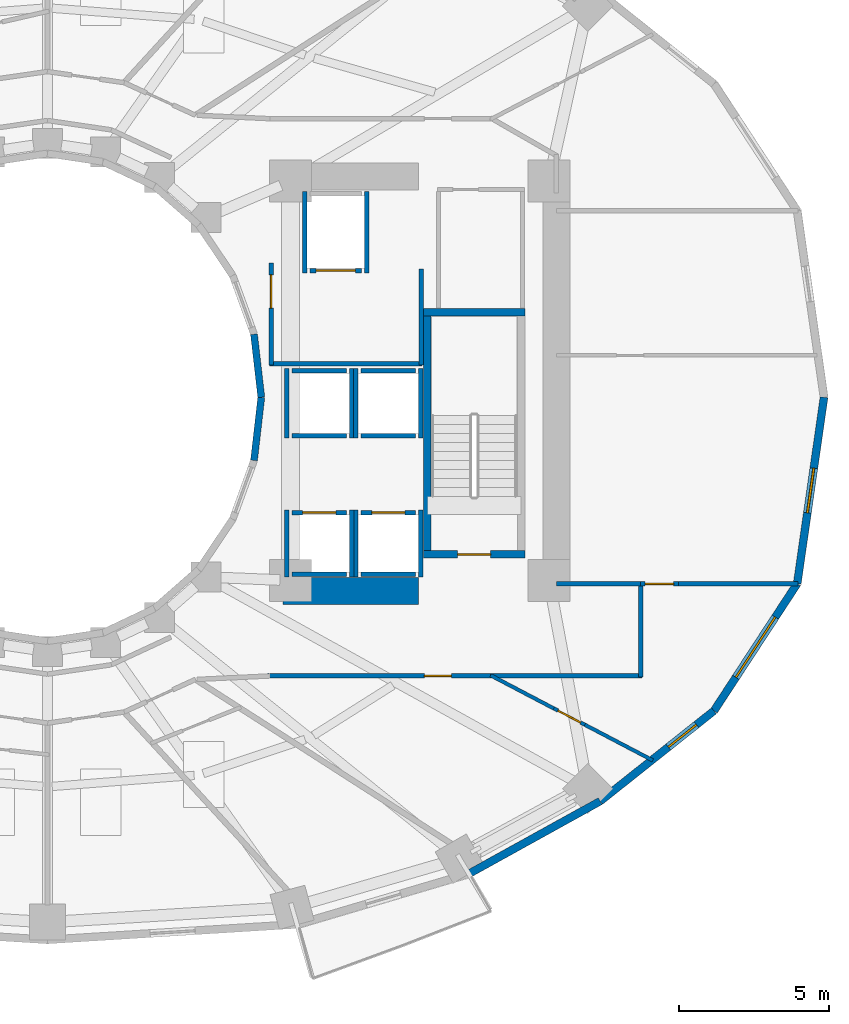
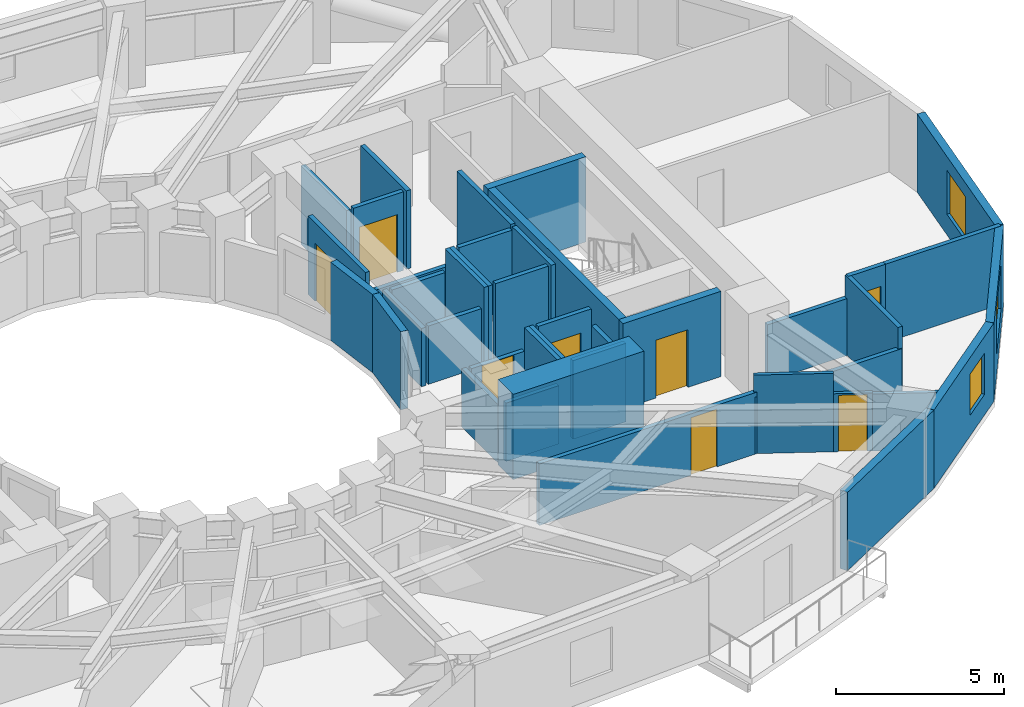
# One storey, part 6 of 11: 41 walls, 8 doors, 3 windows, 11 openings.
"""IFC4 building model written with IfcOpenShell, lengths in metres."""

from ifc_helpers import new_model, si_unit, direction, frame, frame_2d, origin, place, context, subcontext, project, spatial, rectangle, extrude, material, layer, layer_set, type_object, element, fill, save


model = new_model("IFC4")

# Units and contexts
model_context = context("Model", 3, precision=1e-05, world=origin(), true_north=direction((0.0, 1.0)))
body_context = subcontext(model_context, "Body", "Model", "MODEL_VIEW")
ifc_project = project(units=[si_unit("LENGTHUNIT", "METRE"), si_unit("AREAUNIT", "SQUARE_METRE"), si_unit("VOLUMEUNIT", "CUBIC_METRE"), si_unit("PLANEANGLEUNIT", "RADIAN"), si_unit("MASSUNIT", "GRAM", prefix="KILO")], contexts=[model_context])

# Site, building, storey
site_placement = place(None, origin())
site = spatial("IfcSite", under=ifc_project, at=site_placement, CompositionType="ELEMENT")
building_placement = place(site_placement, origin())
building = spatial("IfcBuilding", under=site, at=building_placement, Name="Solvane Sanctuary Tower", CompositionType="ELEMENT")
storey_placement = place(building_placement, frame((0.0, 0.0, 49.300048828125)))
storey = spatial("IfcBuildingStorey", under=building, at=storey_placement, Name="L14", CompositionType="ELEMENT", Elevation=49.300048828125)

# Walls
ifc_material_1 = material(Name="Concrete C70/85", Category="concrete")
ifc_layer_1 = layer(ifc_material_1, 0.89990234375, Name="Concrete C70/85")
ifc_layer_set_1 = layer_set([ifc_layer_1], Name="Concrete C70/85")
wall_type_1 = type_object("IfcWallType", Name="Wall W-CORE-900", PredefinedType="SHEAR", material=ifc_layer_set_1)
wall_1_placement = place(storey_placement, frame((39.85009765625, 16.550048828125, 0.0), z_axis=(0.0, 0.0, 1.0), x_axis=(1.0, 0.0, 0.0)))
element("IfcWall", 1, at=wall_1_placement, inside=storey, type_object=wall_type_1, Name="L14 Core Shear Wall EC-S", PredefinedType="SHEAR", context=body_context, shape_type="SweptSolid", body=[
    extrude(rectangle(XDim=4.5, YDim=0.89990234375, at=frame_2d((2.25, 0.0))), origin(), (0.0, 0.0, 1.0), 3.099853515625),
])
ifc_material_2 = material(Name="Acoustic Gypsum Partition Board")
ifc_layer_2 = layer(ifc_material_2, 0.14990234375, Name="Acoustic Gypsum Partition Board")
ifc_layer_set_2 = layer_set([ifc_layer_2], Name="Acoustic Gypsum Partition Board")
wall_type_2 = type_object("IfcWallType", Name="Wall W-CORR-150", PredefinedType="PARTITIONING", material=ifc_layer_set_2)
wall_2_placement = place(storey_placement, frame((39.39990234375, 24.1201171875, 0.0), z_axis=(0.0, 0.0, 1.0), x_axis=(1.0, 0.0, 0.0)))
element("IfcWall", 2, at=wall_2_placement, inside=storey, type_object=wall_type_2, Name="L14 East Firefighting Lobby South Wall", PredefinedType="PARTITIONING", context=body_context, shape_type="SweptSolid", body=[
    extrude(rectangle(XDim=5.080078125, YDim=0.14990234375, at=frame_2d((2.5400390625, 0.0))), origin(), (0.0, 0.0, 1.0), 2.119873046875),
])
wall_3_placement = place(storey_placement, frame((44.449951171875, 24.080078125, 0.0), z_axis=(0.0, 0.0, 1.0), x_axis=(0.0, 1.0, 0.0)))
element("IfcWall", 3, at=wall_3_placement, inside=storey, type_object=wall_type_2, Name="L14 East Firefighting Lobby East Wall", PredefinedType="PARTITIONING", context=body_context, shape_type="SweptSolid", body=[
    extrude(rectangle(XDim=3.199951171875, YDim=0.14990234375, at=frame_2d((1.60009765625, 0.0))), origin(), (0.0, 0.0, 1.0), 2.85498046875),
])

# Wall, opening, door
wall_4_placement = place(storey_placement, frame((39.449951171875, 24.080078125, 0.0), z_axis=(0.0, 0.0, 1.0), x_axis=(0.0, 1.0, 0.0)))
wall_4 = element("IfcWall", 4, at=wall_4_placement, inside=storey, type_object=wall_type_2, Name="L14 East Firefighting Lobby West Wall", PredefinedType="PARTITIONING", context=body_context, shape_type="SweptSolid", body=[
    extrude(rectangle(XDim=3.39990234375, YDim=0.14990234375, at=frame_2d((1.699951171875, 0.0))), origin(), (0.0, 0.0, 1.0), 2.85498046875),
])
opening_1_placement = place(wall_4_placement, frame((1.893798828125, 0.0, 0.0)))
opening_1 = element("IfcOpeningElement", 5, at=opening_1_placement, cuts=wall_4, Name="Opening D-L14-09", PredefinedType="OPENING", context=body_context, shape_type="SweptSolid", body=[
    extrude(rectangle(XDim=1.10009765625, YDim=2.10009765625, at=frame_2d((0.550048828125, 1.050048828125))), frame((0.0, 0.0849609375, 0.0), z_axis=(0.0, -1.0, 0.0), x_axis=(1.0, 0.0, 0.0)), (0.0, 0.0, 1.0), 0.169921875),
])
ifc_material_3 = material(Name="Architectural Stainless Steel 316", Category="steel")
door_type_1 = type_object("IfcDoorType", Name="Door D-FFL", OperationType="NOTDEFINED", PredefinedType="DOOR", material=ifc_material_3)
door_1_placement = place(opening_1_placement, origin())
door_1 = element("IfcDoor", 6, at=door_1_placement, inside=storey, type_object=door_type_1, Name="L14 East Firefighting Lobby Fire Door", OperationType="SINGLE_SWING_LEFT", OverallHeight=2.10009765625, OverallWidth=1.10009765625, PredefinedType="DOOR", context=body_context, shape_type="SweptSolid", body=[
    extrude(rectangle(XDim=1.10009765625, YDim=2.10009765625, at=frame_2d((0.550048828125, 1.050048828125))), frame((0.0, 0.02490234375, 0.0), z_axis=(0.0, -1.0, 0.0), x_axis=(1.0, 0.0, 0.0)), (0.0, 0.0, 1.0), 0.050048828125),
])
fill(opening_1, door_1)

# Wall
wall_5_placement = place(storey_placement, frame((48.949951171875, 16.788330078125, 0.0), z_axis=(0.0, 0.0, 1.0), x_axis=(1.0, 0.0, 0.0)))
element("IfcWall", 7, at=wall_5_placement, inside=storey, type_object=wall_type_2, Name="L14 East Shoulder South Wall", PredefinedType="PARTITIONING", context=body_context, shape_type="SweptSolid", body=[
    extrude(rectangle(XDim=2.79296875, YDim=0.14990234375, at=frame_2d((1.396484375, 0.0))), origin(), (0.0, 0.0, 1.0), 2.06884765625),
])

# Wall, opening, door
wall_6_placement = place(storey_placement, frame((51.742919921875, 16.788330078125, 0.0), z_axis=(0.0, 0.0, 1.0), x_axis=(1.0, 0.0, 0.0)))
wall_6 = element("IfcWall", 8, at=wall_6_placement, inside=storey, type_object=wall_type_2, Name="L14 East Shoulder South Wall", PredefinedType="PARTITIONING", context=body_context, shape_type="SweptSolid", body=[
    extrude(rectangle(XDim=1.27001953125, YDim=0.14990234375, at=frame_2d((0.635009765625, 0.0))), origin(), (0.0, 0.0, 1.0), 2.85498046875),
])
opening_2_placement = place(wall_6_placement, frame((0.159912109375, 0.0, 0.0)))
opening_2 = element("IfcOpeningElement", 9, at=opening_2_placement, cuts=wall_6, Name="Opening D-L14-12", PredefinedType="OPENING", context=body_context, shape_type="SweptSolid", body=[
    extrude(rectangle(XDim=0.949951171875, YDim=2.10009765625, at=frame_2d((0.47509765625, 1.050048828125))), frame((0.0, 0.0849609375, 0.0), z_axis=(0.0, -1.0, 0.0), x_axis=(1.0, 0.0, 0.0)), (0.0, 0.0, 1.0), 0.169921875),
])
ifc_material_4 = material(Name="Engineered Tropical Hardwood", Category="wood")
door_type_2 = type_object("IfcDoorType", Name="Door D-ROOM-950", OperationType="NOTDEFINED", PredefinedType="DOOR", material=ifc_material_4)
door_2_placement = place(opening_2_placement, origin())
door_2 = element("IfcDoor", 10, at=door_2_placement, inside=storey, type_object=door_type_2, Name="L14 East Shoulder South Door", OperationType="SINGLE_SWING_RIGHT", OverallHeight=2.10009765625, OverallWidth=0.949951171875, PredefinedType="DOOR", context=body_context, shape_type="SweptSolid", body=[
    extrude(rectangle(XDim=0.949951171875, YDim=2.10009765625, at=frame_2d((0.47509765625, 1.050048828125))), frame((0.0, 0.02490234375, 0.0), z_axis=(0.0, -1.0, 0.0), x_axis=(1.0, 0.0, 0.0)), (0.0, 0.0, 1.0), 0.050048828125),
])
fill(opening_2, door_2)

# Walls
wall_7_placement = place(storey_placement, frame((53.012939453125, 16.788330078125, 0.0), z_axis=(0.0, 0.0, 1.0), x_axis=(1.0, 0.0, 0.0)))
element("IfcWall", 11, at=wall_7_placement, inside=storey, type_object=wall_type_2, Name="L14 East Shoulder South Wall", PredefinedType="PARTITIONING", context=body_context, shape_type="SweptSolid", body=[
    extrude(rectangle(XDim=3.973388671875, YDim=0.14990234375, at=frame_2d((1.98681640625, 0.0))), origin(), (0.0, 0.0, 1.0), 2.85498046875),
])
wall_8_placement = place(storey_placement, frame((51.760009765625, 13.679931640625, 0.0), z_axis=(0.0, 0.0, 1.0), x_axis=(0.0, 1.0, 0.0)))
element("IfcWall", 12, at=wall_8_placement, inside=storey, type_object=wall_type_2, Name="L14 SE Corner Closer 1", PredefinedType="PARTITIONING", context=body_context, shape_type="SweptSolid", body=[
    extrude(rectangle(XDim=3.1484375, YDim=0.14990234375, at=frame_2d((1.57421875, 0.0))), origin(), (0.0, 0.0, 1.0), 2.85498046875),
])

# Wall, opening, door
wall_9_placement = place(storey_placement, frame((39.330078125, 13.719970703125, 0.0), z_axis=(0.0, 0.0, 1.0), x_axis=(1.0, 0.0, 0.0)))
wall_9 = element("IfcWall", 13, at=wall_9_placement, inside=storey, type_object=wall_type_2, Name="L14 SE Corner Corridor Wall", PredefinedType="PARTITIONING", context=body_context, shape_type="SweptSolid", body=[
    extrude(rectangle(XDim=7.52001953125, YDim=0.14990234375, at=frame_2d((3.760009765625, 0.0))), origin(), (0.0, 0.0, 1.0), 2.237060546875),
])
opening_3_placement = place(wall_9_placement, frame((5.219970703125, 0.0, 0.0)))
opening_3 = element("IfcOpeningElement", 14, at=opening_3_placement, cuts=wall_9, Name="Opening D-L14-21", PredefinedType="OPENING", context=body_context, shape_type="SweptSolid", body=[
    extrude(rectangle(XDim=0.89990234375, YDim=2.10009765625, at=frame_2d((0.449951171875, 1.050048828125))), frame((0.0, 0.0849609375, 0.0), z_axis=(0.0, -1.0, 0.0), x_axis=(1.0, 0.0, 0.0)), (0.0, 0.0, 1.0), 0.169921875),
])
door_type_3 = type_object("IfcDoorType", Name="Door D-WET-900", OperationType="NOTDEFINED", PredefinedType="DOOR", material=ifc_material_4)
door_3_placement = place(opening_3_placement, origin())
door_3 = element("IfcDoor", 15, at=door_3_placement, inside=storey, type_object=door_type_3, Name="L14 SE Corner Salon Door", OperationType="SINGLE_SWING_LEFT", OverallHeight=2.10009765625, OverallWidth=0.89990234375, PredefinedType="DOOR", context=body_context, shape_type="SweptSolid", body=[
    extrude(rectangle(XDim=0.89990234375, YDim=2.10009765625, at=frame_2d((0.449951171875, 1.050048828125))), frame((0.0, 0.02490234375, 0.0), z_axis=(0.0, -1.0, 0.0), x_axis=(1.0, 0.0, 0.0)), (0.0, 0.0, 1.0), 0.050048828125),
])
fill(opening_3, door_3)

# Walls
wall_10_placement = place(storey_placement, frame((46.75, 13.719970703125, 0.0), z_axis=(0.0, 0.0, 1.0), x_axis=(1.0, 0.0, 0.0)))
element("IfcWall", 16, at=wall_10_placement, inside=storey, type_object=wall_type_2, Name="L14 SE Corner Wing Wall", PredefinedType="PARTITIONING", context=body_context, shape_type="SweptSolid", body=[
    extrude(rectangle(XDim=5.050048828125, YDim=0.14990234375, at=frame_2d((2.52490234375, 0.0))), origin(), (0.0, 0.0, 1.0), 2.06884765625),
])
ifc_material_5 = material(Name="Precast concrete C40/50", Category="concrete")
ifc_layer_3 = layer(ifc_material_5, 0.260009765625, Name="Precast concrete C40/50")
ifc_layer_set_3 = layer_set([ifc_layer_3], Name="Precast concrete C40/50")
wall_type_3 = type_object("IfcWallType", Name="Wall W-EXT-250", PredefinedType="STANDARD", material=ifc_layer_set_3)
wall_11_placement = place(storey_placement, frame((46.0419921875, 7.137939453125, 0.0), z_axis=(0.0, 0.0, 1.0), x_axis=(0.875137303239, 0.483874674352, 0.0)))
element("IfcWall", 17, at=wall_11_placement, inside=storey, type_object=wall_type_3, Name="L14 Ceramic-Printed Facade Wall 20", PredefinedType="STANDARD", context=body_context, shape_type="SweptSolid", body=[
    extrude(rectangle(XDim=4.985107421875, YDim=0.260009765625, at=frame_2d((2.49267578125, 0.0))), origin(), (0.0, 0.0, 1.0), 2.849853515625),
])

# Wall, opening, window
wall_12_placement = place(storey_placement, frame((50.404541015625, 9.550048828125, 0.0), z_axis=(0.0, 0.0, 1.0), x_axis=(0.783123133379, 0.621866672179, 0.0)))
wall_12 = element("IfcWall", 18, at=wall_12_placement, inside=storey, type_object=wall_type_3, Name="L14 Ceramic-Printed Facade Wall 21", PredefinedType="STANDARD", context=body_context, shape_type="SweptSolid", body=[
    extrude(rectangle(XDim=4.838623046875, YDim=0.260009765625, at=frame_2d((2.41943359375, 0.0))), origin(), (0.0, 0.0, 1.0), 2.849853515625),
])
opening_4_placement = place(wall_12_placement, frame((2.897705078125, 0.0, 0.75)))
opening_4 = element("IfcOpeningElement", 19, at=opening_4_placement, cuts=wall_12, Name="Opening WN-OPER-1200", PredefinedType="OPENING", context=body_context, shape_type="SweptSolid", body=[
    extrude(rectangle(XDim=1.199951171875, YDim=1.5, at=frame_2d((0.60009765625, 0.75))), frame((0.0, 0.139892578125, 0.0), z_axis=(0.0, -1.0, 0.0), x_axis=(1.0, 0.0, 0.0)), (0.0, 0.0, 1.0), 0.280029296875),
])
ifc_material_6 = material(Name="Dark Ceramic-Fritted Low-E Glass", Category="glass")
window_type_1 = type_object("IfcWindowType", Name="Window WN-OPER-1200", PartitioningType="SINGLE_PANEL", PredefinedType="WINDOW", material=ifc_material_6)
window_1_placement = place(opening_4_placement, origin())
window_1 = element("IfcWindow", 20, at=window_1_placement, inside=storey, type_object=window_type_1, Name="L14 Operable Facade Window 21", OverallHeight=1.5, OverallWidth=1.199951171875, PartitioningType="SINGLE_PANEL", PredefinedType="WINDOW", context=body_context, shape_type="SweptSolid", body=[
    extrude(rectangle(XDim=1.199951171875, YDim=1.5, at=frame_2d((0.60009765625, 0.75))), frame((0.0, 0.030029296875, 0.0), z_axis=(0.0, -1.0, 0.0), x_axis=(1.0, 0.0, 0.0)), (0.0, 0.0, 1.0), 0.06005859375),
])
fill(opening_4, window_1)

wall_13_placement = place(storey_placement, frame((54.19384765625, 12.55908203125, 0.0), z_axis=(0.0, 0.0, 1.0), x_axis=(0.547702757047, 0.836672988642, 0.0)))
wall_13 = element("IfcWall", 21, at=wall_13_placement, inside=storey, type_object=wall_type_3, Name="L14 Ceramic-Printed Facade Wall 22", PredefinedType="STANDARD", context=body_context, shape_type="SweptSolid", body=[
    extrude(rectangle(XDim=5.0625, YDim=0.260009765625, at=frame_2d((2.53125, 0.0))), origin(), (0.0, 0.0, 1.0), 2.849853515625),
])
opening_5_placement = place(wall_13_placement, frame((1.331298828125, 0.0, 0.75)))
opening_5 = element("IfcOpeningElement", 22, at=opening_5_placement, cuts=wall_13, Name="Opening WN-RIB-2400", PredefinedType="OPENING", context=body_context, shape_type="SweptSolid", body=[
    extrude(rectangle(XDim=2.39990234375, YDim=1.699951171875, at=frame_2d((1.199951171875, 0.85009765625))), frame((0.0, 0.139892578125, 0.0), z_axis=(0.0, -1.0, 0.0), x_axis=(1.0, 0.0, 0.0)), (0.0, 0.0, 1.0), 0.280029296875),
])
window_type_2 = type_object("IfcWindowType", Name="Window WN-RIB-2400", PartitioningType="SINGLE_PANEL", PredefinedType="WINDOW", material=ifc_material_6)
window_2_placement = place(opening_5_placement, origin())
window_2 = element("IfcWindow", 23, at=window_2_placement, inside=storey, type_object=window_type_2, Name="L14 Operable Facade Window 22", OverallHeight=1.699951171875, OverallWidth=2.39990234375, PartitioningType="SINGLE_PANEL", PredefinedType="WINDOW", context=body_context, shape_type="SweptSolid", body=[
    extrude(rectangle(XDim=2.39990234375, YDim=1.699951171875, at=frame_2d((1.199951171875, 0.85009765625))), frame((0.0, 0.030029296875, 0.0), z_axis=(0.0, -1.0, 0.0), x_axis=(1.0, 0.0, 0.0)), (0.0, 0.0, 1.0), 0.06005859375),
])
fill(opening_5, window_2)

wall_14_placement = place(storey_placement, frame((56.966552734375, 16.794677734375, 0.0), z_axis=(0.0, 0.0, 1.0), x_axis=(0.142528001686, 0.989790770181, 0.0)))
wall_14 = element("IfcWall", 24, at=wall_14_placement, inside=storey, type_object=wall_type_3, Name="L14 Ceramic-Printed Facade Wall 23", PredefinedType="STANDARD", context=body_context, shape_type="SweptSolid", body=[
    extrude(rectangle(XDim=6.269287109375, YDim=0.260009765625, at=frame_2d((3.134765625, 0.0))), origin(), (0.0, 0.0, 1.0), 2.849853515625),
])
opening_6_placement = place(wall_14_placement, frame((2.384521484375, 0.0, 0.75)))
opening_6 = element("IfcOpeningElement", 25, at=opening_6_placement, cuts=wall_14, Name="Opening WN-OPER-1500", PredefinedType="OPENING", context=body_context, shape_type="SweptSolid", body=[
    extrude(rectangle(XDim=1.5, YDim=1.60009765625, at=frame_2d((0.75, 0.800048828125))), frame((0.0, 0.139892578125, 0.0), z_axis=(0.0, -1.0, 0.0), x_axis=(1.0, 0.0, 0.0)), (0.0, 0.0, 1.0), 0.280029296875),
])
window_type_3 = type_object("IfcWindowType", Name="Window WN-OPER-1500", PartitioningType="SINGLE_PANEL", PredefinedType="WINDOW", material=ifc_material_6)
window_3_placement = place(opening_6_placement, origin())
window_3 = element("IfcWindow", 26, at=window_3_placement, inside=storey, type_object=window_type_3, Name="L14 Operable Facade Window 23", OverallHeight=1.60009765625, OverallWidth=1.5, PartitioningType="SINGLE_PANEL", PredefinedType="WINDOW", context=body_context, shape_type="SweptSolid", body=[
    extrude(rectangle(XDim=1.5, YDim=1.60009765625, at=frame_2d((0.75, 0.800048828125))), frame((0.0, 0.030029296875, 0.0), z_axis=(0.0, -1.0, 0.0), x_axis=(1.0, 0.0, 0.0)), (0.0, 0.0, 1.0), 0.06005859375),
])
fill(opening_6, window_3)

# Walls
ifc_layer_4 = layer(ifc_material_5, 0.22998046875, Name="Precast concrete C40/50")
ifc_layer_set_4 = layer_set([ifc_layer_4], Name="Precast concrete C40/50")
wall_type_4 = type_object("IfcWallType", Name="Wall W-EXT-SP220", PredefinedType="STANDARD", material=ifc_layer_set_4)
for number, where, z_axis, x_axis, name in (
    (27, (39.1201171875, 23.0, 0.0), (0.0, 0.0, 1.0), (-0.114711713601, 0.993398823617, 0.0), "L14 Central Light-Well Wall 00"),
    (28, (38.87744140625, 20.8984375, 0.0), (0.0, 0.0, 1.0), (0.114711713601, 0.993398823617, 0.0), "L14 Central Light-Well Wall 23"),
):
    element("IfcWall", number, at=place(storey_placement, frame(where, z_axis=z_axis, x_axis=x_axis)), inside=storey, type_object=wall_type_4, Name=name, PredefinedType="STANDARD", context=body_context, shape_type="SweptSolid", body=[
        extrude(rectangle(XDim=2.115478515625, YDim=0.22998046875, at=frame_2d((1.0576171875, 0.0))), origin(), (0.0, 0.0, 1.0), 2.83984375),
    ])
ifc_layer_5 = layer(ifc_material_2, 0.1201171875, Name="Acoustic Gypsum Partition Board")
ifc_layer_set_5 = layer_set([ifc_layer_5], Name="Acoustic Gypsum Partition Board")
wall_type_5 = type_object("IfcWallType", Name="Wall W-MOV-100", PredefinedType="MOVABLE", material=ifc_layer_set_5)
wall_15_placement = place(storey_placement, frame((46.755615234375, 13.7431640625, 0.0), z_axis=(0.0, 0.0, 1.0), x_axis=(0.885586030676, -0.464475383924, 0.0)))
element("IfcWall", 29, at=wall_15_placement, inside=storey, type_object=wall_type_5, Name="L14 SE Corner Suite Partition", PredefinedType="MOVABLE", context=body_context, shape_type="SweptSolid", body=[
    extrude(rectangle(XDim=2.375732421875, YDim=0.1201171875, at=frame_2d((1.18798828125, 0.0))), origin(), (0.0, 0.0, 1.0), 2.85498046875),
])

# Wall, opening, door
wall_16_placement = place(storey_placement, frame((48.859619140625, 12.6396484375, 0.0), z_axis=(0.0, 0.0, 1.0), x_axis=(0.885447282698, -0.464739829972, 0.0)))
wall_16 = element("IfcWall", 30, at=wall_16_placement, inside=storey, type_object=wall_type_5, Name="L14 SE Corner Suite Partition", PredefinedType="MOVABLE", context=body_context, shape_type="SweptSolid", body=[
    extrude(rectangle(XDim=1.169921875, YDim=0.1201171875, at=frame_2d((0.5849609375, 0.0))), origin(), (0.0, 0.0, 1.0), 2.10986328125),
])
opening_7_placement = place(wall_16_placement, frame((0.159912109375, 0.0, 0.0)))
opening_7 = element("IfcOpeningElement", 31, at=opening_7_placement, cuts=wall_16, Name="Opening D-L14-20", PredefinedType="OPENING", context=body_context, shape_type="SweptSolid", body=[
    extrude(rectangle(XDim=0.85009765625, YDim=2.050048828125, at=frame_2d((0.425048828125, 1.02490234375))), frame((0.0, 0.070068359375, 0.0), z_axis=(0.0, -1.0, 0.0), x_axis=(1.0, 0.0, 0.0)), (0.0, 0.0, 1.0), 0.14013671875),
])
door_type_4 = type_object("IfcDoorType", Name="Door D-RISER", OperationType="NOTDEFINED", PredefinedType="DOOR", material=ifc_material_3)
door_4_placement = place(opening_7_placement, origin())
door_4 = element("IfcDoor", 32, at=door_4_placement, inside=storey, type_object=door_type_4, Name="L14 SE Corner Suite Door", OperationType="SINGLE_SWING_RIGHT", OverallHeight=2.050048828125, OverallWidth=0.85009765625, PredefinedType="DOOR", context=body_context, shape_type="SweptSolid", body=[
    extrude(rectangle(XDim=0.85009765625, YDim=2.050048828125, at=frame_2d((0.425048828125, 1.02490234375))), frame((0.0, 0.02490234375, 0.0), z_axis=(0.0, -1.0, 0.0), x_axis=(1.0, 0.0, 0.0)), (0.0, 0.0, 1.0), 0.050048828125),
])
fill(opening_7, door_4)

# Wall
wall_17_placement = place(storey_placement, frame((49.8955078125, 12.095947265625, 0.0), z_axis=(0.0, 0.0, 1.0), x_axis=(0.885573027611, -0.464500175208, 0.0)))
element("IfcWall", 33, at=wall_17_placement, inside=storey, type_object=wall_type_5, Name="L14 SE Corner Suite Partition", PredefinedType="MOVABLE", context=body_context, shape_type="SweptSolid", body=[
    extrude(rectangle(XDim=2.55224609375, YDim=0.1201171875, at=frame_2d((1.276123046875, 0.0))), origin(), (0.0, 0.0, 1.0), 2.06884765625),
])

# Wall, opening, door
ifc_material_7 = material(Name="Concrete C50/60", Category="concrete")
ifc_layer_6 = layer(ifc_material_7, 0.14990234375, Name="Concrete C50/60")
ifc_layer_set_6 = layer_set([ifc_layer_6], Name="Concrete C50/60")
wall_type_6 = type_object("IfcWallType", Name="Wall W-SHAFT-150", PredefinedType="SOLIDWALL", material=ifc_layer_set_6)
wall_18_placement = place(storey_placement, frame((40.139892578125, 19.159912109375, 0.0), z_axis=(0.0, 0.0, 1.0), x_axis=(1.0, 0.0, 0.0)))
wall_18 = element("IfcWall", 34, at=wall_18_placement, inside=storey, type_object=wall_type_6, Name="L14 PL-3 Lift Shaft Wall F", PredefinedType="SOLIDWALL", context=body_context, shape_type="SweptSolid", body=[
    extrude(rectangle(XDim=1.820068359375, YDim=0.14990234375, at=frame_2d((0.91015625, 0.0))), origin(), (0.0, 0.0, 1.0), 2.119873046875),
])
opening_8_placement = place(wall_18_placement, frame((0.360107421875, 0.0, 0.0)))
opening_8 = element("IfcOpeningElement", 35, at=opening_8_placement, cuts=wall_18, Name="Opening LD-L14-03", PredefinedType="OPENING", context=body_context, shape_type="SweptSolid", body=[
    extrude(rectangle(XDim=1.10009765625, YDim=2.10009765625, at=frame_2d((0.550048828125, 1.050048828125))), frame((0.0, 0.0849609375, 0.0), z_axis=(0.0, -1.0, 0.0), x_axis=(1.0, 0.0, 0.0)), (0.0, 0.0, 1.0), 0.169921875),
])
door_type_5 = type_object("IfcDoorType", Name="Door LD-PASS-1100", OperationType="NOTDEFINED", PredefinedType="DOOR", material=ifc_material_3)
door_5_placement = place(opening_8_placement, origin())
door_5 = element("IfcDoor", 36, at=door_5_placement, inside=storey, type_object=door_type_5, Name="L14 PL-3 Lift Landing Door", OperationType="DOUBLE_DOOR_SLIDING", OverallHeight=2.10009765625, OverallWidth=1.10009765625, PredefinedType="DOOR", context=body_context, shape_type="SweptSolid", body=[
    extrude(rectangle(XDim=1.10009765625, YDim=2.10009765625, at=frame_2d((0.550048828125, 1.050048828125))), frame((0.0, 0.02490234375, 0.0), z_axis=(0.0, -1.0, 0.0), x_axis=(1.0, 0.0, 0.0)), (0.0, 0.0, 1.0), 0.050048828125),
])
fill(opening_8, door_5)

# Walls
wall_19_placement = place(storey_placement, frame((40.139892578125, 17.10009765625, 0.0), z_axis=(0.0, 0.0, 1.0), x_axis=(1.0, 0.0, 0.0)))
element("IfcWall", 37, at=wall_19_placement, inside=storey, type_object=wall_type_6, Name="L14 PL-3 Lift Shaft Wall B", PredefinedType="SOLIDWALL", context=body_context, shape_type="SweptSolid", body=[
    extrude(rectangle(XDim=1.820068359375, YDim=0.14990234375, at=frame_2d((0.91015625, 0.0))), origin(), (0.0, 0.0, 1.0), 2.119873046875),
])
wall_20_placement = place(storey_placement, frame((39.969970703125, 17.02001953125, 0.0), z_axis=(0.0, 0.0, 1.0), x_axis=(0.0, 1.0, 0.0)))
element("IfcWall", 38, at=wall_20_placement, inside=storey, type_object=wall_type_6, Name="L14 PL-3 Lift Shaft Wall S1", PredefinedType="SOLIDWALL", context=body_context, shape_type="SweptSolid", body=[
    extrude(rectangle(XDim=2.219970703125, YDim=0.14990234375, at=frame_2d((1.10986328125, 0.0))), origin(), (0.0, 0.0, 1.0), 2.119873046875),
])
wall_21_placement = place(storey_placement, frame((42.1298828125, 17.02001953125, 0.0), z_axis=(0.0, 0.0, 1.0), x_axis=(0.0, 1.0, 0.0)))
element("IfcWall", 39, at=wall_21_placement, inside=storey, type_object=wall_type_6, Name="L14 PL-3 Lift Shaft Wall S2", PredefinedType="SOLIDWALL", context=body_context, shape_type="SweptSolid", body=[
    extrude(rectangle(XDim=2.219970703125, YDim=0.14990234375, at=frame_2d((1.10986328125, 0.0))), origin(), (0.0, 0.0, 1.0), 2.85498046875),
])

# Wall, opening, door
wall_22_placement = place(storey_placement, frame((42.43994140625, 19.159912109375, 0.0), z_axis=(0.0, 0.0, 1.0), x_axis=(1.0, 0.0, 0.0)))
wall_22 = element("IfcWall", 40, at=wall_22_placement, inside=storey, type_object=wall_type_6, Name="L14 PL-4 Lift Shaft Wall F", PredefinedType="SOLIDWALL", context=body_context, shape_type="SweptSolid", body=[
    extrude(rectangle(XDim=1.820068359375, YDim=0.14990234375, at=frame_2d((0.91015625, 0.0))), origin(), (0.0, 0.0, 1.0), 2.85498046875),
])
opening_9_placement = place(wall_22_placement, frame((0.360107421875, 0.0, 0.0)))
opening_9 = element("IfcOpeningElement", 41, at=opening_9_placement, cuts=wall_22, Name="Opening LD-L14-04", PredefinedType="OPENING", context=body_context, shape_type="SweptSolid", body=[
    extrude(rectangle(XDim=1.10009765625, YDim=2.10009765625, at=frame_2d((0.550048828125, 1.050048828125))), frame((0.0, 0.0849609375, 0.0), z_axis=(0.0, -1.0, 0.0), x_axis=(1.0, 0.0, 0.0)), (0.0, 0.0, 1.0), 0.169921875),
])
door_6_placement = place(opening_9_placement, origin())
door_6 = element("IfcDoor", 42, at=door_6_placement, inside=storey, type_object=door_type_5, Name="L14 PL-4 Lift Landing Door", OperationType="DOUBLE_DOOR_SLIDING", OverallHeight=2.10009765625, OverallWidth=1.10009765625, PredefinedType="DOOR", context=body_context, shape_type="SweptSolid", body=[
    extrude(rectangle(XDim=1.10009765625, YDim=2.10009765625, at=frame_2d((0.550048828125, 1.050048828125))), frame((0.0, 0.02490234375, 0.0), z_axis=(0.0, -1.0, 0.0), x_axis=(1.0, 0.0, 0.0)), (0.0, 0.0, 1.0), 0.050048828125),
])
fill(opening_9, door_6)

# Walls
wall_23_placement = place(storey_placement, frame((42.43994140625, 17.10009765625, 0.0), z_axis=(0.0, 0.0, 1.0), x_axis=(1.0, 0.0, 0.0)))
element("IfcWall", 43, at=wall_23_placement, inside=storey, type_object=wall_type_6, Name="L14 PL-4 Lift Shaft Wall B", PredefinedType="SOLIDWALL", context=body_context, shape_type="SweptSolid", body=[
    extrude(rectangle(XDim=1.820068359375, YDim=0.14990234375, at=frame_2d((0.91015625, 0.0))), origin(), (0.0, 0.0, 1.0), 2.85498046875),
])
wall_24_placement = place(storey_placement, frame((42.27001953125, 17.02001953125, 0.0), z_axis=(0.0, 0.0, 1.0), x_axis=(0.0, 1.0, 0.0)))
element("IfcWall", 44, at=wall_24_placement, inside=storey, type_object=wall_type_6, Name="L14 PL-4 Lift Shaft Wall S1", PredefinedType="SOLIDWALL", context=body_context, shape_type="SweptSolid", body=[
    extrude(rectangle(XDim=2.219970703125, YDim=0.14990234375, at=frame_2d((1.10986328125, 0.0))), origin(), (0.0, 0.0, 1.0), 2.85498046875),
])
wall_25_placement = place(storey_placement, frame((44.429931640625, 17.02001953125, 0.0), z_axis=(0.0, 0.0, 1.0), x_axis=(0.0, 1.0, 0.0)))
element("IfcWall", 45, at=wall_25_placement, inside=storey, type_object=wall_type_6, Name="L14 PL-4 Lift Shaft Wall S2", PredefinedType="SOLIDWALL", context=body_context, shape_type="SweptSolid", body=[
    extrude(rectangle(XDim=2.219970703125, YDim=0.14990234375, at=frame_2d((1.10986328125, 0.0))), origin(), (0.0, 0.0, 1.0), 2.119873046875),
])
for number, where, z_axis, x_axis, name in (
    (46, (42.43994140625, 21.719970703125, 0.0), (0.0, 0.0, 1.0), (1.0, 0.0, 0.0), "L14 PM-2 Lift Shaft Wall F"),
    (47, (42.43994140625, 23.8798828125, 0.0), (0.0, 0.0, 1.0), (1.0, 0.0, 0.0), "L14 PM-2 Lift Shaft Wall B"),
):
    element("IfcWall", number, at=place(storey_placement, frame(where, z_axis=z_axis, x_axis=x_axis)), inside=storey, type_object=wall_type_6, Name=name, PredefinedType="SOLIDWALL", context=body_context, shape_type="SweptSolid", body=[
        extrude(rectangle(XDim=1.820068359375, YDim=0.14990234375, at=frame_2d((0.91015625, 0.0))), origin(), (0.0, 0.0, 1.0), 2.85498046875),
    ])
for number, where, z_axis, x_axis, name in (
    (48, (42.27001953125, 21.639892578125, 0.0), (0.0, 0.0, 1.0), (0.0, 1.0, 0.0), "L14 PM-2 Lift Shaft Wall S1"),
    (49, (44.429931640625, 21.639892578125, 0.0), (0.0, 0.0, 1.0), (0.0, 1.0, 0.0), "L14 PM-2 Lift Shaft Wall S2"),
):
    element("IfcWall", number, at=place(storey_placement, frame(where, z_axis=z_axis, x_axis=x_axis)), inside=storey, type_object=wall_type_6, Name=name, PredefinedType="SOLIDWALL", context=body_context, shape_type="SweptSolid", body=[
        extrude(rectangle(XDim=2.320068359375, YDim=0.14990234375, at=frame_2d((1.16015625, 0.0))), origin(), (0.0, 0.0, 1.0), 2.85498046875),
    ])
for number, where, z_axis, x_axis, name in (
    (50, (40.139892578125, 21.719970703125, 0.0), (0.0, 0.0, 1.0), (1.0, 0.0, 0.0), "L14 PH-2 Lift Shaft Wall F"),
    (51, (40.139892578125, 23.8798828125, 0.0), (0.0, 0.0, 1.0), (1.0, 0.0, 0.0), "L14 PH-2 Lift Shaft Wall B"),
):
    element("IfcWall", number, at=place(storey_placement, frame(where, z_axis=z_axis, x_axis=x_axis)), inside=storey, type_object=wall_type_6, Name=name, PredefinedType="SOLIDWALL", context=body_context, shape_type="SweptSolid", body=[
        extrude(rectangle(XDim=1.820068359375, YDim=0.14990234375, at=frame_2d((0.91015625, 0.0))), origin(), (0.0, 0.0, 1.0), 2.119873046875),
    ])
wall_26_placement = place(storey_placement, frame((39.969970703125, 21.639892578125, 0.0), z_axis=(0.0, 0.0, 1.0), x_axis=(0.0, 1.0, 0.0)))
element("IfcWall", 52, at=wall_26_placement, inside=storey, type_object=wall_type_6, Name="L14 PH-2 Lift Shaft Wall S1", PredefinedType="SOLIDWALL", context=body_context, shape_type="SweptSolid", body=[
    extrude(rectangle(XDim=2.320068359375, YDim=0.14990234375, at=frame_2d((1.16015625, 0.0))), origin(), (0.0, 0.0, 1.0), 2.119873046875),
])
wall_27_placement = place(storey_placement, frame((42.1298828125, 21.639892578125, 0.0), z_axis=(0.0, 0.0, 1.0), x_axis=(0.0, 1.0, 0.0)))
element("IfcWall", 53, at=wall_27_placement, inside=storey, type_object=wall_type_6, Name="L14 PH-2 Lift Shaft Wall S2", PredefinedType="SOLIDWALL", context=body_context, shape_type="SweptSolid", body=[
    extrude(rectangle(XDim=2.320068359375, YDim=0.14990234375, at=frame_2d((1.16015625, 0.0))), origin(), (0.0, 0.0, 1.0), 2.85498046875),
])

# Wall, opening, door
wall_28_placement = place(storey_placement, frame((40.739990234375, 27.219970703125, 0.0), z_axis=(0.0, 0.0, 1.0), x_axis=(1.0, 0.0, 0.0)))
wall_28 = element("IfcWall", 54, at=wall_28_placement, inside=storey, type_object=wall_type_6, Name="L14 FFL-2 Lift Shaft Wall F", PredefinedType="SOLIDWALL", context=body_context, shape_type="SweptSolid", body=[
    extrude(rectangle(XDim=1.719970703125, YDim=0.14990234375, at=frame_2d((0.85986328125, 0.0))), origin(), (0.0, 0.0, 1.0), 2.85498046875),
])
opening_10_placement = place(wall_28_placement, frame((0.2099609375, 0.0, 0.0)))
opening_10 = element("IfcOpeningElement", 55, at=opening_10_placement, cuts=wall_28, Name="Opening LD-L14-07", PredefinedType="OPENING", context=body_context, shape_type="SweptSolid", body=[
    extrude(rectangle(XDim=1.300048828125, YDim=2.10009765625, at=frame_2d((0.64990234375, 1.050048828125))), frame((0.0, 0.0849609375, 0.0), z_axis=(0.0, -1.0, 0.0), x_axis=(1.0, 0.0, 0.0)), (0.0, 0.0, 1.0), 0.169921875),
])
door_type_6 = type_object("IfcDoorType", Name="Door LD-FFL-1300", OperationType="NOTDEFINED", PredefinedType="DOOR", material=ifc_material_3)
door_7_placement = place(opening_10_placement, origin())
door_7 = element("IfcDoor", 56, at=door_7_placement, inside=storey, type_object=door_type_6, Name="L14 FFL-2 Lift Landing Door", OperationType="DOUBLE_DOOR_SLIDING", OverallHeight=2.10009765625, OverallWidth=1.300048828125, PredefinedType="DOOR", context=body_context, shape_type="SweptSolid", body=[
    extrude(rectangle(XDim=1.300048828125, YDim=2.10009765625, at=frame_2d((0.64990234375, 1.050048828125))), frame((0.0, 0.02490234375, 0.0), z_axis=(0.0, -1.0, 0.0), x_axis=(1.0, 0.0, 0.0)), (0.0, 0.0, 1.0), 0.050048828125),
])
fill(opening_10, door_7)

# Walls
for number, where, z_axis, x_axis, name in (
    (57, (40.570068359375, 27.139892578125, 0.0), (0.0, 0.0, 1.0), (0.0, 1.0, 0.0), "L14 FFL-2 Lift Shaft Wall S1"),
    (58, (42.6298828125, 27.139892578125, 0.0), (0.0, 0.0, 1.0), (0.0, 1.0, 0.0), "L14 FFL-2 Lift Shaft Wall S2"),
):
    element("IfcWall", number, at=place(storey_placement, frame(where, z_axis=z_axis, x_axis=x_axis)), inside=storey, type_object=wall_type_6, Name=name, PredefinedType="SOLIDWALL", context=body_context, shape_type="SweptSolid", body=[
        extrude(rectangle(XDim=2.72021484375, YDim=0.14990234375, at=frame_2d((1.360107421875, 0.0))), origin(), (0.0, 0.0, 1.0), 2.85498046875),
    ])

# Wall, opening, door
ifc_layer_7 = layer(ifc_material_7, 0.25, Name="Concrete C50/60")
ifc_layer_set_7 = layer_set([ifc_layer_7], Name="Concrete C50/60")
wall_type_7 = type_object("IfcWallType", Name="Wall W-SHAFT-250", PredefinedType="SOLIDWALL", material=ifc_layer_set_7)
wall_29_placement = place(storey_placement, frame((44.52490234375, 17.77001953125, 0.0), z_axis=(0.0, 0.0, 1.0), x_axis=(1.0, 0.0, 0.0)))
wall_29 = element("IfcWall", 59, at=wall_29_placement, inside=storey, type_object=wall_type_7, Name="L14 ST-2 Load-Bearing Shaft Wall S", PredefinedType="SOLIDWALL", context=body_context, shape_type="SweptSolid", body=[
    extrude(rectangle(XDim=3.3701171875, YDim=0.25, at=frame_2d((1.68505859375, 0.0))), origin(), (0.0, 0.0, 1.0), 3.099853515625),
])
opening_11_placement = place(wall_29_placement, frame((1.135009765625, 0.0, 0.0)))
opening_11 = element("IfcOpeningElement", 60, at=opening_11_placement, cuts=wall_29, Name="Opening D-L14-06", PredefinedType="OPENING", context=body_context, shape_type="SweptSolid", body=[
    extrude(rectangle(XDim=1.10009765625, YDim=2.10009765625, at=frame_2d((0.550048828125, 1.050048828125))), frame((0.0, 0.135009765625, 0.0), z_axis=(0.0, -1.0, 0.0), x_axis=(1.0, 0.0, 0.0)), (0.0, 0.0, 1.0), 0.27001953125),
])
door_type_7 = type_object("IfcDoorType", Name="Door D-STAIR", OperationType="NOTDEFINED", PredefinedType="DOOR", material=ifc_material_3)
door_8_placement = place(opening_11_placement, origin())
door_8 = element("IfcDoor", 61, at=door_8_placement, inside=storey, type_object=door_type_7, Name="L14 ST-2 Exit Stair Fire Door", OperationType="SINGLE_SWING_LEFT", OverallHeight=2.10009765625, OverallWidth=1.10009765625, PredefinedType="DOOR", context=body_context, shape_type="SweptSolid", body=[
    extrude(rectangle(XDim=1.10009765625, YDim=2.10009765625, at=frame_2d((0.550048828125, 1.050048828125))), frame((0.0, 0.02490234375, 0.0), z_axis=(0.0, -1.0, 0.0), x_axis=(1.0, 0.0, 0.0)), (0.0, 0.0, 1.0), 0.050048828125),
])
fill(opening_11, door_8)

# Walls
wall_30_placement = place(storey_placement, frame((44.52490234375, 25.830078125, 0.0), z_axis=(0.0, 0.0, 1.0), x_axis=(1.0, 0.0, 0.0)))
element("IfcWall", 62, at=wall_30_placement, inside=storey, type_object=wall_type_7, Name="L14 ST-2 Load-Bearing Shaft Wall N", PredefinedType="SOLIDWALL", context=body_context, shape_type="SweptSolid", body=[
    extrude(rectangle(XDim=3.3701171875, YDim=0.25, at=frame_2d((1.68505859375, 0.0))), origin(), (0.0, 0.0, 1.0), 3.099853515625),
])
wall_31_placement = place(storey_placement, frame((44.64990234375, 17.89501953125, 0.0), z_axis=(0.0, 0.0, 1.0), x_axis=(0.0, 1.0, 0.0)))
element("IfcWall", 63, at=wall_31_placement, inside=storey, type_object=wall_type_7, Name="L14 ST-2 Load-Bearing Shaft Wall W", PredefinedType="SOLIDWALL", context=body_context, shape_type="SweptSolid", body=[
    extrude(rectangle(XDim=7.81005859375, YDim=0.25, at=frame_2d((3.905029296875, 0.0))), origin(), (0.0, 0.0, 1.0), 3.099853515625),
])

save(model, "model.ifc")
